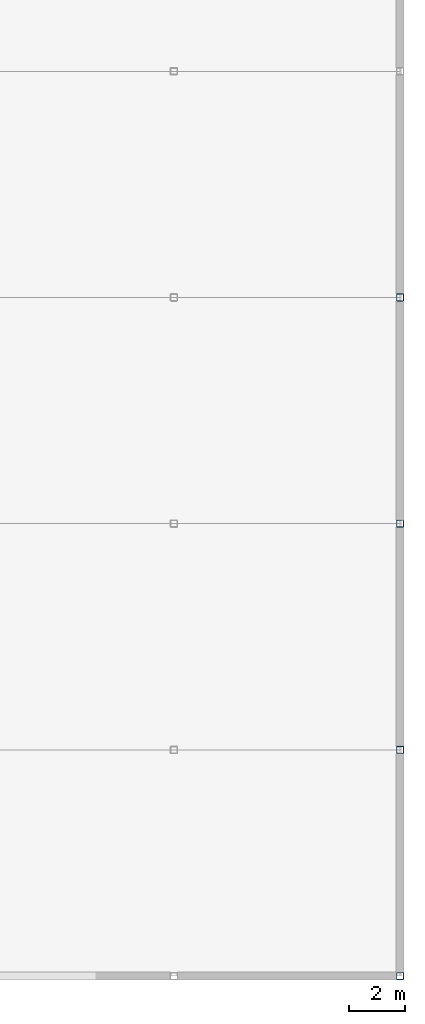
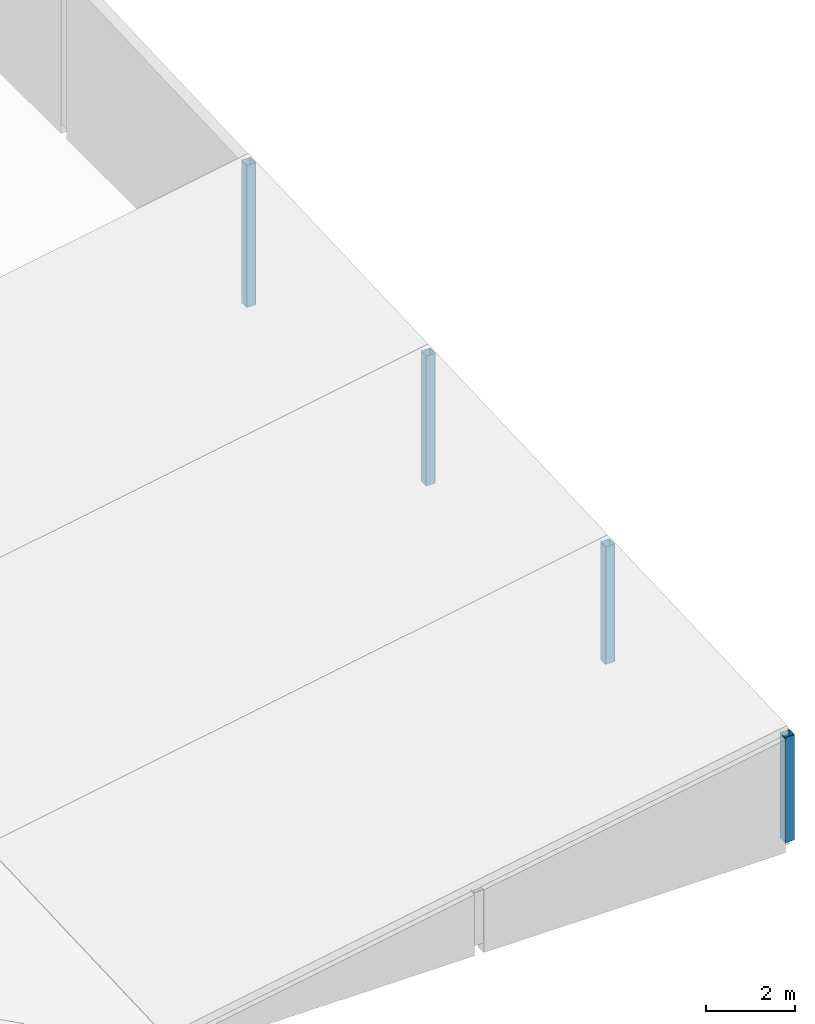
# One storey, part 2 of 8: 4 columns.
"""IFC4 building model written with IfcOpenShell, lengths in metres."""

from ifc_helpers import new_model, si_unit, direction, frame, origin, origin_2d, place, context, subcontext, project, spatial, hollow_rectangle, extrude, material, material_profile, profile_set, type_object, element, save


model = new_model("IFC4")

# Units and contexts
model_context = context("Model", 3, precision=1e-05, world=origin(), true_north=direction((0.0, 1.0)))
body_context = subcontext(model_context, "Body", "Model", "MODEL_VIEW")
ifc_project = project(units=[si_unit("LENGTHUNIT", "METRE"), si_unit("AREAUNIT", "SQUARE_METRE"), si_unit("VOLUMEUNIT", "CUBIC_METRE"), si_unit("PLANEANGLEUNIT", "RADIAN"), si_unit("MASSUNIT", "GRAM", prefix="KILO")], contexts=[model_context])

# Site, building, storey
site_placement = place(None, origin())
site = spatial("IfcSite", under=ifc_project, at=site_placement, CompositionType="ELEMENT")
building_placement = place(site_placement, origin())
building = spatial("IfcBuilding", under=site, at=building_placement, Name="Vaudrelin Polytechnic", CompositionType="ELEMENT")
storey_placement = place(building_placement, frame((0.0, 0.0, 36.2099609375)))
storey = spatial("IfcBuildingStorey", under=building, at=storey_placement, Name="ROOF", CompositionType="ELEMENT", Elevation=36.2099609375)

# Columns
ifc_material = material(Name="Steel CSA G40.21 350W", Category="steel")
ifc_material_profile = material_profile(ifc_material, hollow_rectangle(XDim=0.25390625, YDim=0.25390625, WallThickness=0.0126953125, InnerFilletRadius=0.0126953125, OuterFilletRadius=0.025390625, at=origin_2d()), Name="HSS254x254x12.7")
ifc_profile_set = profile_set([ifc_material_profile], Name="Steel CSA G40.21 350W")
column_type = type_object("IfcColumnType", Name="COL-C-HSS254", PredefinedType="COLUMN", material=ifc_profile_set)
column_1_placement = place(storey_placement, frame((170.10009765625, 32.39990234375, 0.0), z_axis=(0.0, 0.0, 1.0), x_axis=(1.0, 0.0, 0.0)))
element("IfcColumn", 1, at=column_1_placement, inside=storey, type_object=column_type, Name="Laboratory roof edge post 21-4", PredefinedType="COLUMN", context=body_context, shape_type="SweptSolid", body=[
    extrude(hollow_rectangle(XDim=0.25390625, YDim=0.25390625, WallThickness=0.0126953125, InnerFilletRadius=0.0126953125, OuterFilletRadius=0.025390625, at=origin_2d()), origin(), (0.0, 0.0, 1.0), 2.896240234375),
])
column_2_placement = place(storey_placement, frame((170.10009765625, 40.5, 0.0), z_axis=(0.0, 0.0, 1.0), x_axis=(1.0, 0.0, 0.0)))
element("IfcColumn", 2, at=column_2_placement, inside=storey, type_object=column_type, Name="Laboratory roof edge post 21-5", PredefinedType="COLUMN", context=body_context, shape_type="SweptSolid", body=[
    extrude(hollow_rectangle(XDim=0.25390625, YDim=0.25390625, WallThickness=0.0126953125, InnerFilletRadius=0.0126953125, OuterFilletRadius=0.025390625, at=origin_2d()), origin(), (0.0, 0.0, 1.0), 3.236328125),
])
column_3_placement = place(storey_placement, frame((170.10009765625, 48.60009765625, 0.0), z_axis=(0.0, 0.0, 1.0), x_axis=(1.0, 0.0, 0.0)))
element("IfcColumn", 3, at=column_3_placement, inside=storey, type_object=column_type, Name="Laboratory roof edge post 21-6", PredefinedType="COLUMN", context=body_context, shape_type="SweptSolid", body=[
    extrude(hollow_rectangle(XDim=0.25390625, YDim=0.25390625, WallThickness=0.0126953125, InnerFilletRadius=0.0126953125, OuterFilletRadius=0.025390625, at=origin_2d()), origin(), (0.0, 0.0, 1.0), 3.57666015625),
])
column_4_placement = place(storey_placement, frame((170.10009765625, 56.699951171875, 0.0), z_axis=(0.0, 0.0, 1.0), x_axis=(1.0, 0.0, 0.0)))
element("IfcColumn", 4, at=column_4_placement, inside=storey, type_object=column_type, Name="Laboratory roof edge post 21-7", PredefinedType="COLUMN", context=body_context, shape_type="SweptSolid", body=[
    extrude(hollow_rectangle(XDim=0.25390625, YDim=0.25390625, WallThickness=0.0126953125, InnerFilletRadius=0.0126953125, OuterFilletRadius=0.025390625, at=origin_2d()), origin(), (0.0, 0.0, 1.0), 3.916748046875),
])

save(model, "model.ifc")
